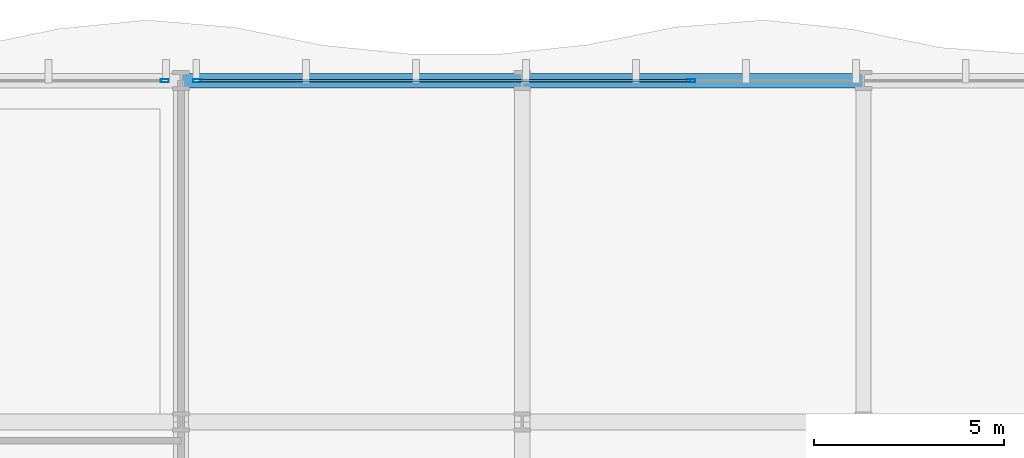
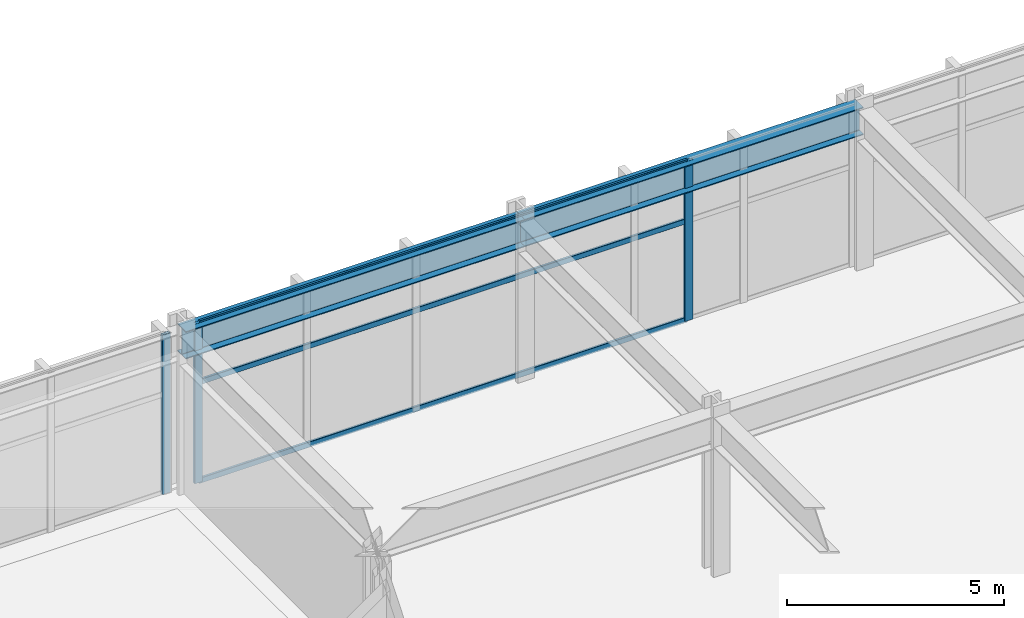
# One storey, part 17 of 29: 6 members, 2 beams, 2 elements without a shape of their own.
"""IFC4 building model written with IfcOpenShell, lengths in metres."""

import ifcopenshell
import ifcopenshell.guid

model = None  # the IFC model being written
_history = None  # IfcOwnerHistory: only IFC2X3 demands one
_inside = {}  # id of a spatial element -> (the spatial element, [elements in it])
_under = {}  # id of a project, library or spatial element -> (it, [spatial elements below it])
_declared = {}  # id of a project -> (the project, [libraries it declares])
_typed = {}  # id of a type object -> (the type object, [elements of that type])
_made_of = {}  # id of a material, layer set ... -> (it, [elements and type objects made of it])


def new_model(schema):
    """Start an empty IFC model of exactly this schema.

    Asked for "IFC4X3", IfcOpenShell would pick the latest addendum, in which some entities
    have other attributes; the version numbers below select the first issue.
    IFC2X3 requires an IfcOwnerHistory on every rooted entity: one is made here for all.
    """
    global model, _history
    if schema == "IFC4X3":
        model = ifcopenshell.file(schema_version=(4, 3, 0, 0))
    else:
        model = ifcopenshell.file(schema=schema)
    _inside.clear()
    _under.clear()
    _declared.clear()
    _typed.clear()
    _made_of.clear()
    _history = None
    if model.schema == "IFC2X3":
        org = make("IfcOrganization", Name="unknown")
        user = make(
            "IfcPersonAndOrganization",
            ThePerson=make("IfcPerson", FamilyName="unknown"),
            TheOrganization=org,
        )
        app = make(
            "IfcApplication",
            ApplicationDeveloper=org,
            Version="unknown",
            ApplicationFullName="unknown",
            ApplicationIdentifier="unknown",
        )
        _history = make(
            "IfcOwnerHistory",
            OwningUser=user,
            OwningApplication=app,
            ChangeAction="ADDED",
            CreationDate=0,
        )
    return model


def make(cls, **values):
    """One entity of the class cls with the attributes given. An attribute that is None is left unset."""
    return model.create_entity(
        cls, **{name: value for name, value in values.items() if value is not None}
    )


def rooted(cls, **values):
    """An entity with a GlobalId (a new one), such as an element, a storey or a relation."""
    return make(cls, GlobalId=ifcopenshell.guid.new(), OwnerHistory=_history, **values)


def si_unit(unit_type, name, prefix=None):
    """IfcSIUnit, for example si_unit("LENGTHUNIT", "METRE", prefix="MILLI")."""
    return make("IfcSIUnit", UnitType=unit_type, Prefix=prefix, Name=name)


def assignment(units):
    """IfcUnitAssignment: the units of a project."""
    return None if units is None else make("IfcUnitAssignment", Units=units)


def point(xyz):
    """IfcCartesianPoint."""
    return None if xyz is None else make("IfcCartesianPoint", Coordinates=xyz)


def direction(xyz):
    """IfcDirection."""
    return None if xyz is None else make("IfcDirection", DirectionRatios=xyz)


def frame(location, z_axis=None, x_axis=None):
    """IfcAxis2Placement3D, a coordinate frame: its origin and axes. An axis left out is left unset."""
    return make(
        "IfcAxis2Placement3D",
        Location=point(location),
        Axis=direction(z_axis),
        RefDirection=direction(x_axis),
    )


def frame_2d(location, x_axis=None):
    """IfcAxis2Placement2D, a coordinate frame in the plane: its origin and x axis."""
    return make(
        "IfcAxis2Placement2D", Location=point(location), RefDirection=direction(x_axis)
    )


def origin():
    """The frame at (0, 0, 0) with its axes left unset."""
    return frame((0.0, 0.0, 0.0))


def origin_2d():
    """The frame at (0, 0) in the plane with its x axis left unset."""
    return frame_2d((0.0, 0.0))


def place(relative_to, where):
    """IfcLocalPlacement: puts the frame where relative to a parent placement (None: the world)."""
    return make(
        "IfcLocalPlacement", PlacementRelTo=relative_to, RelativePlacement=where
    )


def context(
    kind, dimensions, precision=None, world=None, true_north=None, identifier=None
):
    """IfcGeometricRepresentationContext, for example the 3D "Model" context."""
    return make(
        "IfcGeometricRepresentationContext",
        ContextIdentifier=identifier,
        ContextType=kind,
        CoordinateSpaceDimension=dimensions,
        Precision=precision,
        WorldCoordinateSystem=world,
        TrueNorth=true_north,
    )


def subcontext(parent, identifier, kind, view, scale=None):
    """IfcGeometricRepresentationSubContext, for example "Body" below "Model"."""
    return make(
        "IfcGeometricRepresentationSubContext",
        ContextIdentifier=identifier,
        ContextType=kind,
        ParentContext=parent,
        TargetScale=scale,
        TargetView=view,
    )


def project(units=None, contexts=None):
    """IfcProject with its units and contexts."""
    return rooted(
        "IfcProject",
        Name="project",
        RepresentationContexts=contexts,
        UnitsInContext=assignment(units),
    )


def spatial(cls, under=None, at=None, **own):
    """A site, building, storey or space (cls), placed at a placement, below another one or the project."""
    s = rooted(cls, ObjectPlacement=at, **own)
    if under is not None:
        _under.setdefault(under.id(), (under, []))[1].append(s)
    return s


def profile(cls, at=None, kind="AREA", **sizes):
    """A parametric profile (cls). Its sizes go by their IFC names, for example OverallWidth=200.0."""
    return make(cls, ProfileType=kind, Position=at, **sizes)


def hollow_rectangle(**sizes):
    """IfcRectangleHollowProfileDef."""
    return profile("IfcRectangleHollowProfileDef", **sizes)


def i_section(**sizes):
    """IfcIShapeProfileDef."""
    return profile("IfcIShapeProfileDef", **sizes)


def extrude(swept, where, along, depth):
    """IfcExtrudedAreaSolid: the profile swept, set in the frame where, extruded along a direction by depth."""
    return make(
        "IfcExtrudedAreaSolid",
        SweptArea=swept,
        Position=where,
        ExtrudedDirection=direction(along),
        Depth=depth,
    )


def shape(context_of_items, identifier, shape_type, items):
    """IfcShapeRepresentation: the items that make up one representation, for example the "Body"."""
    return make(
        "IfcShapeRepresentation",
        ContextOfItems=context_of_items,
        RepresentationIdentifier=identifier,
        RepresentationType=shape_type,
        Items=items,
    )


def material(Name=None, Category=None):
    """IfcMaterial."""
    return make("IfcMaterial", Name=Name, Category=Category)


def layer(
    of_material, thickness, ventilated=None, Name=None, Category=None, Priority=None
):
    """IfcMaterialLayer: one layer of a wall or slab, of a material (None: an air gap)."""
    return make(
        "IfcMaterialLayer",
        Material=of_material,
        LayerThickness=thickness,
        IsVentilated=ventilated,
        Name=Name,
        Category=Category,
        Priority=Priority,
    )


def layer_set(layers, Name=None):
    """IfcMaterialLayerSet."""
    return make("IfcMaterialLayerSet", MaterialLayers=layers, LayerSetName=Name)


def material_profile(
    of_material, cross_section, Name=None, Category=None, Priority=None
):
    """IfcMaterialProfile: a cross section and its material."""
    return make(
        "IfcMaterialProfile",
        Name=Name,
        Material=of_material,
        Profile=cross_section,
        Priority=Priority,
        Category=Category,
    )


def profile_set(profiles, Name=None, composite=None):
    """IfcMaterialProfileSet."""
    return make(
        "IfcMaterialProfileSet",
        Name=Name,
        MaterialProfiles=profiles,
        CompositeProfile=composite,
    )


def made_of(thing, what):
    """Note that an element or type object is made of a material, layer set ...; save() writes the relation."""
    if what is not None:
        _made_of.setdefault(what.id(), (what, []))[1].append(thing)
    return thing


def type_object(cls, material=None, **own):
    """A type object (cls), such as IfcWallType, which elements share."""
    return made_of(rooted(cls, **own), material)


def element(
    cls,
    number,
    at=None,
    inside=None,
    cuts=None,
    type_object=None,
    material=None,
    context=None,
    identifier="Body",
    shape_type=None,
    held_by="IfcProductDefinitionShape",
    body=None,
    shapes=None,
    **own,
):
    """One element of the class cls, such as IfcWall. Its Tag is "e" and its number.

    at: its placement. inside: the storey or other place that contains it. cuts: it is an
    opening in that element (IfcRelVoidsElement). A single representation is given by context,
    identifier, shape_type and body (its items); several are given by shapes. held_by: the class
    of the entity that holds the representations. save() writes the other relations.
    """
    e = rooted(cls, Tag="e%d" % number, ObjectPlacement=at, **own)
    if body is not None:
        shapes = [shape(context, identifier, shape_type, body)]
    if shapes is not None:
        e.Representation = make(held_by, Representations=shapes)
    if inside is not None:
        _inside.setdefault(inside.id(), (inside, []))[1].append(e)
    if cuts is not None:
        rooted(
            "IfcRelVoidsElement", RelatingBuildingElement=cuts, RelatedOpeningElement=e
        )
    if type_object is not None:
        _typed.setdefault(type_object.id(), (type_object, []))[1].append(e)
    return made_of(e, material)


def aggregate(whole, parts):
    """IfcRelAggregates: a whole, such as a stair, and the parts it consists of."""
    return rooted("IfcRelAggregates", RelatingObject=whole, RelatedObjects=parts)


def save(model, path):
    """Write the relations noted so far, then the file.

    IfcRelAggregates (storeys below a building ...), IfcRelContainedInSpatialStructure (elements
    in a storey), IfcRelDefinesByType, IfcRelAssociatesMaterial and IfcRelDeclares: one each for
    every whole, place, type object, material and project.
    """
    for whole, parts in _under.values():
        aggregate(whole, parts)
    for where, things in _inside.values():
        rooted(
            "IfcRelContainedInSpatialStructure",
            RelatedElements=things,
            RelatingStructure=where,
        )
    for kind, things in _typed.values():
        rooted("IfcRelDefinesByType", RelatedObjects=things, RelatingType=kind)
    for what, things in _made_of.values():
        rooted("IfcRelAssociatesMaterial", RelatedObjects=things, RelatingMaterial=what)
    for by, libraries in _declared.values():
        rooted("IfcRelDeclares", RelatingContext=by, RelatedDefinitions=libraries)
    model.write(path)


model = new_model("IFC4")

# Units and contexts
model_context = context("Model", 3, precision=1e-05, world=origin(), true_north=direction((0.0, 1.0)))
body_context = subcontext(model_context, "Body", "Model", "MODEL_VIEW")
ifc_project = project(units=[si_unit("LENGTHUNIT", "METRE"), si_unit("AREAUNIT", "SQUARE_METRE"), si_unit("VOLUMEUNIT", "CUBIC_METRE"), si_unit("PLANEANGLEUNIT", "RADIAN"), si_unit("MASSUNIT", "GRAM", prefix="KILO")], contexts=[model_context])

# Site, building, storey
site_placement = place(None, origin())
site = spatial("IfcSite", under=ifc_project, at=site_placement, CompositionType="ELEMENT")
building_placement = place(site_placement, origin())
building = spatial("IfcBuilding", under=site, at=building_placement, Name="Solvaryn Broadcast Tower", CompositionType="ELEMENT")
storey_placement = place(building_placement, frame((0.0, 0.0, 21.199951171875)))
storey = spatial("IfcBuildingStorey", under=building, at=storey_placement, Name="L04", CompositionType="ELEMENT", Elevation=21.199951171875)

# Beams
ifc_material_1 = material(Name="Steel ASTM A992 Grade 50", Category="steel")
ifc_material_profile_1 = material_profile(ifc_material_1, i_section(OverallWidth=0.381103515625, OverallDepth=0.77294921875, WebThickness=0.0166015625, FlangeThickness=0.027099609375, FilletRadius=0.01806640625, at=origin_2d()))
ifc_profile_set_1 = profile_set([ifc_material_profile_1], Name="Steel ASTM A992 Grade 50")
beam_type = type_object("IfcBeamType", Name="BM-SP1-W30X173", PredefinedType="USERDEFINED", material=ifc_profile_set_1)
for number, where, z_axis, x_axis, name in (
    (1, (36.0, 54.0, 4.093505859375), (1.0, 0.0, 0.0), (0.0, 1.0, 0.0), "L04 Spandrel Beam X (36-45 @ Y=54)"),
    (2, (45.0, 54.0, 4.093505859375), (1.0, 0.0, 0.0), (0.0, 1.0, 0.0), "L04 Spandrel Beam X (45-54 @ Y=54)"),
):
    element("IfcBeam", number, at=place(storey_placement, frame(where, z_axis=z_axis, x_axis=x_axis)), inside=storey, type_object=beam_type, Name=name, ObjectType="SPANDREL", PredefinedType="USERDEFINED", context=body_context, shape_type="SweptSolid", body=[
        extrude(i_section(OverallWidth=0.381103515625, OverallDepth=0.77294921875, WebThickness=0.0166015625, FlangeThickness=0.027099609375, FilletRadius=0.01806640625, at=origin_2d()), origin(), (0.0, 0.0, 1.0), 9.0),
    ])

# Curtain wall, member
ifc_material_2 = material(Name="Aluminium and Terracotta Unitised Curtain Wall", Category="masonry")
ifc_layer = layer(ifc_material_2, 0.219970703125)
ifc_layer_set = layer_set([ifc_layer], Name="CW-SYS1-PODIUM")
curtain_wall_type = type_object("IfcCurtainWallType", Name="CW-SYS1-PODIUM", PredefinedType="NOTDEFINED", material=ifc_layer_set)
curtain_wall_1_placement = place(storey_placement, origin())
curtain_wall_1 = element("IfcCurtainWall", 3, at=curtain_wall_1_placement, inside=storey, type_object=curtain_wall_type, Name="L04 Podium Curtain Wall N1", PredefinedType="NOTDEFINED")
ifc_material_3 = material(Name="Anodised Aluminium 6063-T6", Category="aluminium")
ifc_material_profile_2 = material_profile(ifc_material_3, hollow_rectangle(XDim=0.0849609375, YDim=0.219970703125, WallThickness=0.0048828125, InnerFilletRadius=0.0048828125, OuterFilletRadius=0.010009765625, at=origin_2d()))
ifc_profile_set_2 = profile_set([ifc_material_profile_2], Name="Anodised Aluminium 6063-T6")
member_type_1 = type_object("IfcMemberType", Name="CW-MUL-220", PredefinedType="MULLION", material=ifc_profile_set_2)
member_1_placement = place(storey_placement, frame((35.570068359375, 54.0, 0.0), z_axis=(0.0, 0.0, 1.0), x_axis=(0.0, 1.0, 0.0)))
member_1 = element("IfcMember", 4, at=member_1_placement, type_object=member_type_1, Name="CWS1 mullion 3", PredefinedType="MULLION", context=body_context, shape_type="SweptSolid", body=[
    extrude(hollow_rectangle(XDim=0.0849609375, YDim=0.219970703125, WallThickness=0.0048828125, InnerFilletRadius=0.0048828125, OuterFilletRadius=0.010009765625, at=origin_2d()), origin(), (0.0, 0.0, 1.0), 4.47998046875),
])
aggregate(curtain_wall_1, [member_1])

# Curtain wall, members
curtain_wall_2_placement = place(storey_placement, origin())
curtain_wall_2 = element("IfcCurtainWall", 5, at=curtain_wall_2_placement, inside=storey, type_object=curtain_wall_type, Name="L04 Podium Curtain Wall N2", PredefinedType="NOTDEFINED")
member_2_placement = place(storey_placement, frame((36.429931640625, 54.0, 0.0), z_axis=(0.0, 0.0, 1.0), x_axis=(0.0, 1.0, 0.0)))
member_2 = element("IfcMember", 6, at=member_2_placement, type_object=member_type_1, Name="CWS1 mullion 1", PredefinedType="MULLION", context=body_context, shape_type="SweptSolid", body=[
    extrude(hollow_rectangle(XDim=0.0849609375, YDim=0.219970703125, WallThickness=0.0048828125, InnerFilletRadius=0.0048828125, OuterFilletRadius=0.010009765625, at=origin_2d()), origin(), (0.0, 0.0, 1.0), 4.47998046875),
])
member_3_placement = place(storey_placement, frame((49.449951171875, 54.0, 0.0), z_axis=(0.0, 0.0, 1.0), x_axis=(0.0, 1.0, 0.0)))
member_3 = element("IfcMember", 7, at=member_3_placement, type_object=member_type_1, Name="CWS1 mullion 2", PredefinedType="MULLION", context=body_context, shape_type="SweptSolid", body=[
    extrude(hollow_rectangle(XDim=0.0849609375, YDim=0.219970703125, WallThickness=0.0048828125, InnerFilletRadius=0.0048828125, OuterFilletRadius=0.010009765625, at=origin_2d()), origin(), (0.0, 0.0, 1.0), 4.47998046875),
])
ifc_material_4 = material(Name="Anodised Aluminium 6063-T6", Category="aluminium")
ifc_material_profile_3 = material_profile(ifc_material_4, hollow_rectangle(XDim=0.06494140625, YDim=0.14990234375, WallThickness=0.00390625, InnerFilletRadius=0.00390625, OuterFilletRadius=0.008056640625, at=origin_2d()))
ifc_profile_set_3 = profile_set([ifc_material_profile_3], Name="Anodised Aluminium 6063-T6")
member_type_2 = type_object("IfcMemberType", Name="CW-TRN-150", PredefinedType="USERDEFINED", material=ifc_profile_set_3)
member_4_placement = place(storey_placement, frame((36.4599609375, 54.0, 0.030029296875), z_axis=(1.0, 0.0, 0.0), x_axis=(0.0, 1.0, 0.0)))
member_4 = element("IfcMember", 8, at=member_4_placement, type_object=member_type_2, Name="CWS1 transom 1.1", ObjectType="TRANSOM", PredefinedType="USERDEFINED", context=body_context, shape_type="SweptSolid", body=[
    extrude(hollow_rectangle(XDim=0.06494140625, YDim=0.14990234375, WallThickness=0.00390625, InnerFilletRadius=0.00390625, OuterFilletRadius=0.008056640625, at=origin_2d()), origin(), (0.0, 0.0, 1.0), 12.9599609375),
])
member_5_placement = place(storey_placement, frame((36.4599609375, 54.0, 2.800048828125), z_axis=(1.0, 0.0, 0.0), x_axis=(0.0, 1.0, 0.0)))
member_5 = element("IfcMember", 9, at=member_5_placement, type_object=member_type_2, Name="CWS1 transom 1.2", ObjectType="TRANSOM", PredefinedType="USERDEFINED", context=body_context, shape_type="SweptSolid", body=[
    extrude(hollow_rectangle(XDim=0.06494140625, YDim=0.14990234375, WallThickness=0.00390625, InnerFilletRadius=0.00390625, OuterFilletRadius=0.008056640625, at=origin_2d()), origin(), (0.0, 0.0, 1.0), 12.9599609375),
])
member_6_placement = place(storey_placement, frame((36.4599609375, 54.0, 4.449951171875), z_axis=(1.0, 0.0, 0.0), x_axis=(0.0, 1.0, 0.0)))
member_6 = element("IfcMember", 10, at=member_6_placement, type_object=member_type_2, Name="CWS1 transom 1.3", ObjectType="TRANSOM", PredefinedType="USERDEFINED", context=body_context, shape_type="SweptSolid", body=[
    extrude(hollow_rectangle(XDim=0.06494140625, YDim=0.14990234375, WallThickness=0.00390625, InnerFilletRadius=0.00390625, OuterFilletRadius=0.008056640625, at=origin_2d()), origin(), (0.0, 0.0, 1.0), 12.9599609375),
])
aggregate(curtain_wall_2, [member_2, member_3, member_4, member_5, member_6])

save(model, "model.ifc")
